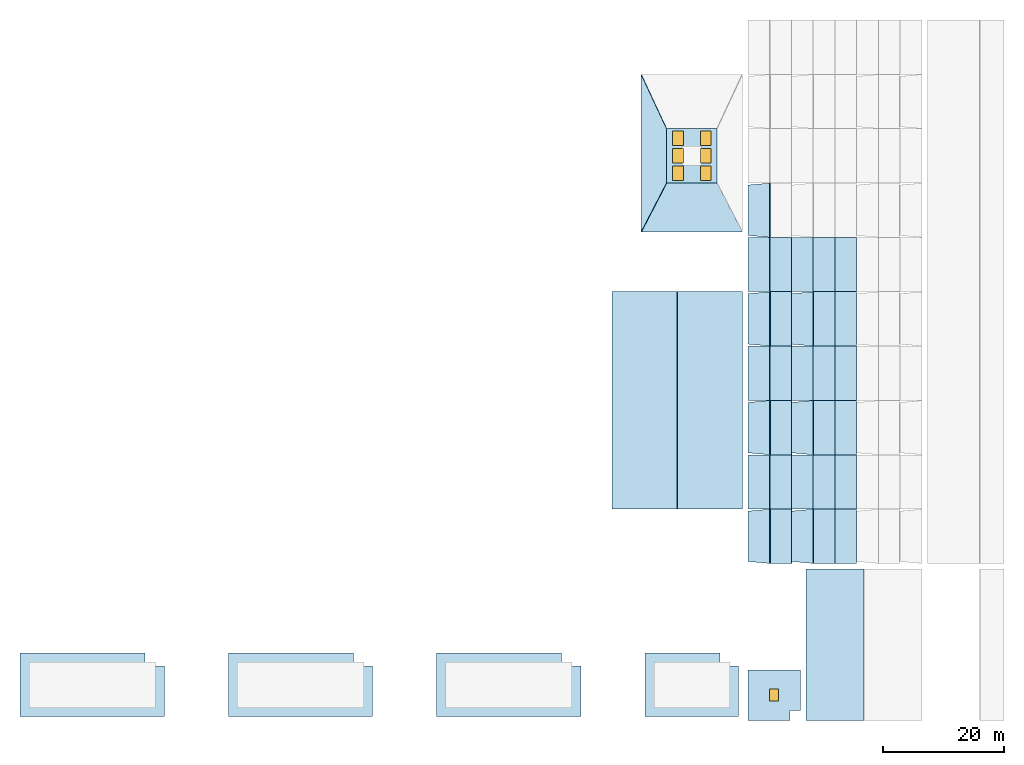
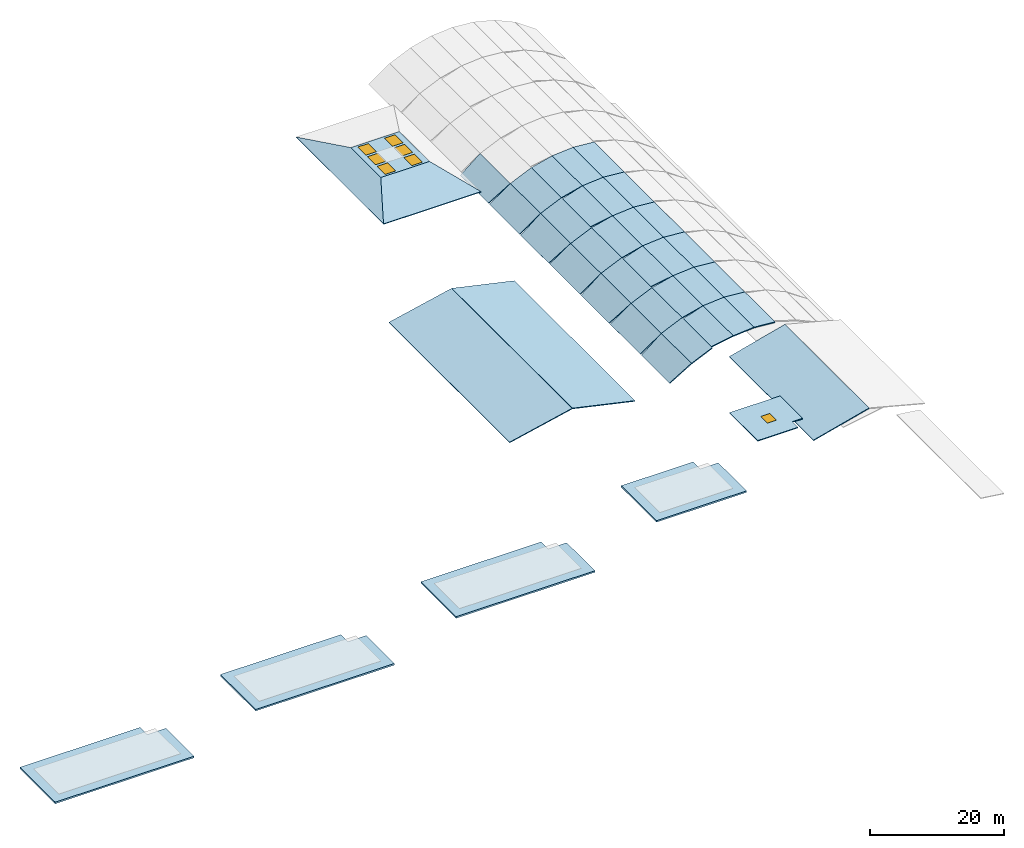
# One storey, part 1 of 3: 42 slabs, 7 windows, 7 openings, 5 elements without a shape of their own.
"""IFC4 building model written with IfcOpenShell, lengths in metres."""

from ifc_helpers import new_model, si_unit, direction, frame, origin, origin_2d, place, context, subcontext, project, spatial, polyline, rectangle, outline, extrude, material, layer, layer_set, type_object, element, fill, aggregate, save


model = new_model("IFC4")

# Units and contexts
model_context = context("Model", 3, precision=1e-05, world=origin(), true_north=direction((0.0, 1.0)))
body_context = subcontext(model_context, "Body", "Model", "MODEL_VIEW")
ifc_project = project(units=[si_unit("LENGTHUNIT", "METRE"), si_unit("AREAUNIT", "SQUARE_METRE"), si_unit("VOLUMEUNIT", "CUBIC_METRE"), si_unit("PLANEANGLEUNIT", "RADIAN"), si_unit("MASSUNIT", "GRAM", prefix="KILO")], contexts=[model_context])

# Site, building, storey
site_placement = place(None, origin())
site = spatial("IfcSite", under=ifc_project, at=site_placement, CompositionType="ELEMENT")
building_placement = place(site_placement, origin())
building = spatial("IfcBuilding", under=site, at=building_placement, Name="Canglan Escarpment Cableway Terminal", CompositionType="ELEMENT")
storey_placement = place(building_placement, frame((0.0, 0.0, 33.60009765625)))
storey = spatial("IfcBuildingStorey", under=building, at=storey_placement, Name="RF", CompositionType="ELEMENT", Elevation=33.60009765625)

# Roof, slabs
ifc_material_1 = material(Name="Standing-seam zinc-titanium roofing", Category="steel")
roof_type_1 = type_object("IfcRoofType", Name="ROOF-GABLE-V3", PredefinedType="GABLE_ROOF", material=ifc_material_1)
roof_1_placement = place(storey_placement, origin())
roof_1 = element("IfcRoof", 1, at=roof_1_placement, inside=storey, type_object=roof_type_1, Name="Cabin Garage pitched Pratt-truss gable roof RF-V3", PredefinedType="GABLE_ROOF")
ifc_material_2 = material(Name="Concrete C35", Category="concrete")
ifc_layer_1 = layer(ifc_material_2, 0.14990234375, Name="Concrete C35")
ifc_layer_set_1 = layer_set([ifc_layer_1], Name="Concrete C35")
slab_type_1 = type_object("IfcSlabType", Name="SLB-ROOF-GABLE-150", PredefinedType="ROOF", material=ifc_layer_set_1)
slab_1_placement = place(storey_placement, frame((115.10009765625, 43.0, -13.64013671875), z_axis=(-0.216951525947, 0.0, 0.976182378139), x_axis=(0.976182378139, 0.0, 0.216951525947)))
slab_1 = element("IfcSlab", 2, at=slab_1_placement, type_object=slab_type_1, Name="Cabin Garage pitched gable roof slab SR-03", PredefinedType="ROOF", context=body_context, shape_type="SweptSolid", body=[
    extrude(outline(polyline([(0.0, 0.0), (11.042798351677446, 0.0), (11.042798351677446, 36.0), (0.0, 36.0), (0.0, 0.0)])), origin(), (0.0, 0.0, -1.0), 0.14990234375),
])
slab_2_placement = place(storey_placement, frame((125.919921875, 43.0, -11.244384765625), z_axis=(0.216946843796, 0.0, 0.976183418711), x_axis=(0.976183418711, 0.0, -0.216946843796)))
slab_2 = element("IfcSlab", 3, at=slab_2_placement, type_object=slab_type_1, Name="Cabin Garage pitched gable roof slab SR-03", PredefinedType="ROOF", context=body_context, shape_type="SweptSolid", body=[
    extrude(outline(polyline([(0.0, 0.0), (11.043036677580382, 0.0), (11.043036677580382, 36.0), (0.0, 36.0), (0.0, 0.0)])), origin(), (0.0, 0.0, -1.0), 0.14990234375),
])
aggregate(roof_1, [slab_1, slab_2])

# Roof, slab
roof_2_placement = place(storey_placement, origin())
roof_2 = element("IfcRoof", 4, at=roof_2_placement, inside=storey, type_object=roof_type_1, Name="Viewing Restaurant pedimented pavilion roof RF-V3", PredefinedType="GABLE_ROOF")
slab_3_placement = place(storey_placement, frame((147.199951171875, 8.0, -3.280029296875), z_axis=(-0.252502199798, 0.0, 0.96759632032), x_axis=(0.96759632032, 0.0, 0.252502199798)))
slab_3 = element("IfcSlab", 5, at=slab_3_placement, type_object=slab_type_1, Name="Viewing Restaurant pedimented roof wing W SR-03", PredefinedType="ROOF", context=body_context, shape_type="SweptSolid", body=[
    extrude(outline(polyline([(0.0, 0.0), (9.900903841624942, 0.0), (9.900903841624942, 25.10009765625), (0.0, 25.10009765625), (0.0, 0.0)])), origin(), (0.0, 0.0, -1.0), 0.14990234375),
])
aggregate(roof_2, [slab_3])

# Roof, slabs, opening, window
ifc_material_3 = material(Name="Planted extensive sedum green roof assembly", Category="earth")
roof_type_2 = type_object("IfcRoofType", Name="ROOF-GARDEN-V5", PredefinedType="FLAT_ROOF", material=ifc_material_3)
roof_3_placement = place(storey_placement, origin())
roof_3 = element("IfcRoof", 6, at=roof_3_placement, inside=storey, type_object=roof_type_2, Name="Visitor Centre stepped sedum roof gardens RF-V5", PredefinedType="FLAT_ROOF")
ifc_material_4 = material(Name="Concrete C40", Category="concrete")
ifc_layer_2 = layer(ifc_material_4, 0.2900390625, Name="Concrete C40")
ifc_layer_set_2 = layer_set([ifc_layer_2], Name="Concrete C40")
slab_type_2 = type_object("IfcSlabType", Name="SLB-ROOF-GRN-290", PredefinedType="ROOF", material=ifc_layer_set_2)
slab_4_placement = place(storey_placement, frame((0.0, 0.0, -24.2900390625)))
slab_4 = element("IfcSlab", 7, at=slab_4_placement, type_object=slab_type_2, Name="Maintenance green roof slab SR-G1", PredefinedType="ROOF", context=body_context, shape_type="SweptSolid", body=[
    extrude(outline(polyline([(17.050048828125, 8.64990234375), (40.949951171875, 8.64990234375), (40.949951171875, 17.050048828125), (37.75, 17.050048828125), (37.75, 19.14990234375), (17.050048828125, 19.14990234375), (17.050048828125, 8.64990234375)])), origin(), (0.0, 0.0, 1.0), 0.2900390625),
])
slab_5_placement = place(storey_placement, frame((0.0, 0.0, -19.489990234375)))
slab_5 = element("IfcSlab", 8, at=slab_5_placement, type_object=slab_type_2, Name="Maintenance green roof slab SR-G1", PredefinedType="ROOF", context=body_context, shape_type="SweptSolid", body=[
    extrude(outline(polyline([(51.550048828125, 8.64990234375), (75.449951171875, 8.64990234375), (75.449951171875, 17.050048828125), (72.25, 17.050048828125), (72.25, 19.14990234375), (51.550048828125, 19.14990234375), (51.550048828125, 8.64990234375)])), origin(), (0.0, 0.0, 1.0), 0.289794921875),
])
slab_6_placement = place(storey_placement, frame((0.0, 0.0, -14.690185546875)))
slab_6 = element("IfcSlab", 9, at=slab_6_placement, type_object=slab_type_2, Name="Maintenance green roof slab SR-G1", PredefinedType="ROOF", context=body_context, shape_type="SweptSolid", body=[
    extrude(outline(polyline([(86.050048828125, 8.64990234375), (109.949951171875, 8.64990234375), (109.949951171875, 17.050048828125), (106.75, 17.050048828125), (106.75, 19.14990234375), (86.050048828125, 19.14990234375), (86.050048828125, 8.64990234375)])), origin(), (0.0, 0.0, 1.0), 0.2900390625),
])
slab_7_placement = place(storey_placement, frame((0.0, 0.0, -9.2900390625)))
slab_7 = element("IfcSlab", 10, at=slab_7_placement, type_object=slab_type_2, Name="Maintenance green roof slab SR-G1", PredefinedType="ROOF", context=body_context, shape_type="SweptSolid", body=[
    extrude(outline(polyline([(120.550048828125, 8.64990234375), (136.050048828125, 8.64990234375), (136.050048828125, 17.050048828125), (132.949951171875, 17.050048828125), (132.949951171875, 19.14990234375), (120.550048828125, 19.14990234375), (120.550048828125, 8.64990234375)])), origin(), (0.0, 0.0, 1.0), 0.2900390625),
])
ifc_layer_3 = layer(ifc_material_2, 0.159912109375, Name="Concrete C35")
ifc_layer_set_3 = layer_set([ifc_layer_3], Name="Concrete C35")
slab_type_3 = type_object("IfcSlabType", Name="SLB-ROOF-HIP-160", PredefinedType="ROOF", material=ifc_layer_set_3)
slab_8_placement = place(storey_placement, frame((0.0, 0.0, -0.16015625)))
slab_8 = element("IfcSlab", 11, at=slab_8_placement, type_object=slab_type_3, Name="Core lift overrun roof slab SR-02", PredefinedType="ROOF", context=body_context, shape_type="SweptSolid", body=[
    extrude(outline(polyline([(137.60009765625, 8.0), (144.56005859375, 8.0), (144.56005859375, 9.679931640625), (146.300048828125, 9.679931640625), (146.300048828125, 16.39990234375), (137.60009765625, 16.39990234375), (137.60009765625, 8.0)])), origin(), (0.0, 0.0, 1.0), 0.16015625),
])
opening_1_placement = place(slab_8_placement, frame((141.89990234375, 12.199951171875, 0.0)))
opening_1 = element("IfcOpeningElement", 12, at=opening_1_placement, cuts=slab_8, Name="Opening SK-02", PredefinedType="OPENING", context=body_context, shape_type="SweptSolid", body=[
    extrude(rectangle(XDim=1.5, YDim=2.0, at=origin_2d()), frame((0.0, 0.0, -0.010009765625)), (0.0, 0.0, 1.0), 0.18017578125),
])
ifc_material_5 = material(Name="Laminated safety Low-E skylight glazing", Category="glass")
window_type_1 = type_object("IfcWindowType", Name="WIN-SKY-1500x2000", PartitioningType="SINGLE_PANEL", PredefinedType="SKYLIGHT", material=ifc_material_5)
window_1_placement = place(opening_1_placement, frame((0.0, 0.0, 0.110107421875)))
window_1 = element("IfcWindow", 13, at=window_1_placement, inside=storey, type_object=window_type_1, Name="Core smoke-vent skylight hatch SK-02", OverallHeight=2.0, OverallWidth=1.5, PartitioningType="SINGLE_PANEL", PredefinedType="SKYLIGHT", context=body_context, shape_type="SweptSolid", body=[
    extrude(rectangle(XDim=1.5, YDim=2.0, at=origin_2d()), origin(), (0.0, 0.0, 1.0), 0.050048828125),
])
fill(opening_1, window_1)
aggregate(roof_3, [slab_4, slab_5, slab_6, slab_7, slab_8])

# Roof, slabs, openings, windows
roof_type_3 = type_object("IfcRoofType", Name="ROOF-HIP-V2", PredefinedType="HIP_ROOF", material=ifc_material_1)
roof_4_placement = place(storey_placement, origin())
roof_4 = element("IfcRoof", 14, at=roof_4_placement, inside=storey, type_object=roof_type_3, Name="Bullwheel Drive House hipped-lantern steel roof RF-V2", PredefinedType="HIP_ROOF")
slab_9_placement = place(storey_placement, frame((119.89990234375, 88.89990234375, -3.43017578125), z_axis=(-0.440353562764, 0.0, 0.897824448186), x_axis=(0.449027299364, 0.865951391438, 0.220233222043)))
slab_9 = element("IfcSlab", 15, at=slab_9_placement, type_object=slab_type_3, Name="Bullwheel Drive House hipped roof facet W SR-02", PredefinedType="ROOF", context=body_context, shape_type="SweptSolid", body=[
    extrude(outline(polyline([(0.0, 0.0), (9.353986535890296, -3.3306690738754696e-16), (17.147549058835647, 4.50115354114273), (22.60141588210708, 13.053394109955638), (0.0, 0.0)])), origin(), (0.0, 0.0, -1.0), 0.159912109375),
])
slab_10_placement = place(storey_placement, frame((119.89990234375, 88.89990234375, -3.43017578125), z_axis=(0.0, -0.246478764446, 0.96914819232), x_axis=(1.0, 0.0, 0.0)))
slab_10 = element("IfcSlab", 16, at=slab_10_placement, type_object=slab_type_3, Name="Bullwheel Drive House hipped roof facet S SR-02", PredefinedType="ROOF", context=body_context, shape_type="SweptSolid", body=[
    extrude(outline(polyline([(0.0, 0.0), (16.800048828125, 0.0), (12.60009765625, 8.357955698044229), (4.2001953125, 8.357955698044229), (0.0, 0.0)])), origin(), (0.0, 0.0, -1.0), 0.159912109375),
])
slab_11_placement = place(storey_placement, frame((0.0, 0.0, -1.550048828125)))
slab_11 = element("IfcSlab", 17, at=slab_11_placement, type_object=slab_type_3, Name="Bullwheel Drive House lantern roof cap SR-02", PredefinedType="ROOF", context=body_context, shape_type="SweptSolid", body=[
    extrude(outline(polyline([(124.10009765625, 97.0), (132.5, 97.0), (132.5, 106.0), (124.10009765625, 106.0), (124.10009765625, 97.0)])), origin(), (0.0, 0.0, 1.0), 0.159912109375),
])
opening_2_placement = place(slab_11_placement, frame((126.0, 98.60009765625, 0.0)))
opening_2 = element("IfcOpeningElement", 18, at=opening_2_placement, cuts=slab_11, Name="Opening SK-01", PredefinedType="OPENING", context=body_context, shape_type="SweptSolid", body=[
    extrude(rectangle(XDim=1.800048828125, YDim=2.39990234375, at=origin_2d()), frame((0.0, 0.0, -0.010009765625)), (0.0, 0.0, 1.0), 0.179931640625),
])
opening_3_placement = place(slab_11_placement, frame((130.60009765625, 98.60009765625, 0.0)))
opening_3 = element("IfcOpeningElement", 19, at=opening_3_placement, cuts=slab_11, Name="Opening SK-01", PredefinedType="OPENING", context=body_context, shape_type="SweptSolid", body=[
    extrude(rectangle(XDim=1.800048828125, YDim=2.39990234375, at=origin_2d()), frame((0.0, 0.0, -0.010009765625)), (0.0, 0.0, 1.0), 0.179931640625),
])
opening_4_placement = place(slab_11_placement, frame((126.0, 101.5, 0.0)))
opening_4 = element("IfcOpeningElement", 20, at=opening_4_placement, cuts=slab_11, Name="Opening SK-01", PredefinedType="OPENING", context=body_context, shape_type="SweptSolid", body=[
    extrude(rectangle(XDim=1.800048828125, YDim=2.39990234375, at=origin_2d()), frame((0.0, 0.0, -0.010009765625)), (0.0, 0.0, 1.0), 0.179931640625),
])
opening_5_placement = place(slab_11_placement, frame((130.60009765625, 101.5, 0.0)))
opening_5 = element("IfcOpeningElement", 21, at=opening_5_placement, cuts=slab_11, Name="Opening SK-01", PredefinedType="OPENING", context=body_context, shape_type="SweptSolid", body=[
    extrude(rectangle(XDim=1.800048828125, YDim=2.39990234375, at=origin_2d()), frame((0.0, 0.0, -0.010009765625)), (0.0, 0.0, 1.0), 0.179931640625),
])
opening_6_placement = place(slab_11_placement, frame((126.0, 104.39990234375, 0.0)))
opening_6 = element("IfcOpeningElement", 22, at=opening_6_placement, cuts=slab_11, Name="Opening SK-01", PredefinedType="OPENING", context=body_context, shape_type="SweptSolid", body=[
    extrude(rectangle(XDim=1.800048828125, YDim=2.39990234375, at=origin_2d()), frame((0.0, 0.0, -0.010009765625)), (0.0, 0.0, 1.0), 0.179931640625),
])
opening_7_placement = place(slab_11_placement, frame((130.60009765625, 104.39990234375, 0.0)))
opening_7 = element("IfcOpeningElement", 23, at=opening_7_placement, cuts=slab_11, Name="Opening SK-01", PredefinedType="OPENING", context=body_context, shape_type="SweptSolid", body=[
    extrude(rectangle(XDim=1.800048828125, YDim=2.39990234375, at=origin_2d()), frame((0.0, 0.0, -0.010009765625)), (0.0, 0.0, 1.0), 0.179931640625),
])
window_type_2 = type_object("IfcWindowType", Name="WIN-SKY-1800x2400", PartitioningType="SINGLE_PANEL", PredefinedType="SKYLIGHT", material=ifc_material_5)
window_2_placement = place(opening_2_placement, frame((0.0, 0.0, 0.10986328125)))
window_2 = element("IfcWindow", 24, at=window_2_placement, inside=storey, type_object=window_type_2, Name="Drive House clerestory roof skylight SK-01", OverallHeight=2.39990234375, OverallWidth=1.800048828125, PartitioningType="SINGLE_PANEL", PredefinedType="SKYLIGHT", context=body_context, shape_type="SweptSolid", body=[
    extrude(rectangle(XDim=1.800048828125, YDim=2.39990234375, at=origin_2d()), origin(), (0.0, 0.0, 1.0), 0.050048828125),
])
fill(opening_2, window_2)
window_3_placement = place(opening_3_placement, frame((0.0, 0.0, 0.10986328125)))
window_3 = element("IfcWindow", 25, at=window_3_placement, inside=storey, type_object=window_type_2, Name="Drive House clerestory roof skylight SK-01", OverallHeight=2.39990234375, OverallWidth=1.800048828125, PartitioningType="SINGLE_PANEL", PredefinedType="SKYLIGHT", context=body_context, shape_type="SweptSolid", body=[
    extrude(rectangle(XDim=1.800048828125, YDim=2.39990234375, at=origin_2d()), origin(), (0.0, 0.0, 1.0), 0.050048828125),
])
fill(opening_3, window_3)
window_4_placement = place(opening_4_placement, frame((0.0, 0.0, 0.10986328125)))
window_4 = element("IfcWindow", 26, at=window_4_placement, inside=storey, type_object=window_type_2, Name="Drive House clerestory roof skylight SK-01", OverallHeight=2.39990234375, OverallWidth=1.800048828125, PartitioningType="SINGLE_PANEL", PredefinedType="SKYLIGHT", context=body_context, shape_type="SweptSolid", body=[
    extrude(rectangle(XDim=1.800048828125, YDim=2.39990234375, at=origin_2d()), origin(), (0.0, 0.0, 1.0), 0.050048828125),
])
fill(opening_4, window_4)
window_5_placement = place(opening_5_placement, frame((0.0, 0.0, 0.10986328125)))
window_5 = element("IfcWindow", 27, at=window_5_placement, inside=storey, type_object=window_type_2, Name="Drive House clerestory roof skylight SK-01", OverallHeight=2.39990234375, OverallWidth=1.800048828125, PartitioningType="SINGLE_PANEL", PredefinedType="SKYLIGHT", context=body_context, shape_type="SweptSolid", body=[
    extrude(rectangle(XDim=1.800048828125, YDim=2.39990234375, at=origin_2d()), origin(), (0.0, 0.0, 1.0), 0.050048828125),
])
fill(opening_5, window_5)
window_6_placement = place(opening_6_placement, frame((0.0, 0.0, 0.10986328125)))
window_6 = element("IfcWindow", 28, at=window_6_placement, inside=storey, type_object=window_type_2, Name="Drive House clerestory roof skylight SK-01", OverallHeight=2.39990234375, OverallWidth=1.800048828125, PartitioningType="SINGLE_PANEL", PredefinedType="SKYLIGHT", context=body_context, shape_type="SweptSolid", body=[
    extrude(rectangle(XDim=1.800048828125, YDim=2.39990234375, at=origin_2d()), origin(), (0.0, 0.0, 1.0), 0.050048828125),
])
fill(opening_6, window_6)
window_7_placement = place(opening_7_placement, frame((0.0, 0.0, 0.10986328125)))
window_7 = element("IfcWindow", 29, at=window_7_placement, inside=storey, type_object=window_type_2, Name="Drive House clerestory roof skylight SK-01", OverallHeight=2.39990234375, OverallWidth=1.800048828125, PartitioningType="SINGLE_PANEL", PredefinedType="SKYLIGHT", context=body_context, shape_type="SweptSolid", body=[
    extrude(rectangle(XDim=1.800048828125, YDim=2.39990234375, at=origin_2d()), origin(), (0.0, 0.0, 1.0), 0.050048828125),
])
fill(opening_7, window_7)
aggregate(roof_4, [slab_9, slab_10, slab_11])

# Roof, slabs
roof_type_4 = type_object("IfcRoofType", Name="ROOF-BARREL-V1", PredefinedType="BARREL_ROOF", material=ifc_material_1)
roof_5_placement = place(storey_placement, origin())
roof_5 = element("IfcRoof", 30, at=roof_5_placement, inside=storey, type_object=roof_type_4, Name="Boarding Hall curved barrel-vault roof RF-V1", PredefinedType="BARREL_ROOF")
ifc_layer_4 = layer(ifc_material_2, 0.179931640625, Name="Concrete C35")
ifc_layer_set_4 = layer_set([ifc_layer_4], Name="Concrete C35")
slab_type_4 = type_object("IfcSlabType", Name="SLB-ROOF-VAULT-180", PredefinedType="ROOF", material=ifc_layer_set_4)
slab_12_placement = place(storey_placement, frame((137.60009765625, 34.320068359375, -5.492431640625), z_axis=(-0.575600552563, 0.0, 0.817731009495), x_axis=(0.815578229771, -0.072514280043, 0.574085211719)))
slab_12 = element("IfcSlab", 31, at=slab_12_placement, type_object=slab_type_4, Name="Barrel-vault roof deck facet SR-01", PredefinedType="ROOF", context=body_context, shape_type="SweptSolid", body=[
    extrude(outline(polyline([(0.0, 0.0), (4.413866609260794, -1.3877787807814457e-17), (3.761238088876617, 8.976306368121643), (-0.6062094670951339, 8.337854889790075), (0.0, 0.0)])), origin(), (0.0, 0.0, -1.0), 0.179931640625),
])
slab_13_placement = place(storey_placement, frame((141.199951171875, 34.0, -2.981201171875), z_axis=(-0.410791393388, 0.0, 0.911729362869), x_axis=(0.911729362869, 0.0, 0.410791393388)))
slab_13 = element("IfcSlab", 32, at=slab_13_placement, type_object=slab_type_4, Name="Barrel-vault roof deck facet SR-01", PredefinedType="ROOF", context=body_context, shape_type="SweptSolid", body=[
    extrude(outline(polyline([(0.0, 0.0), (3.9486472662458203, 0.0), (3.9486472662458203, 9.0), (0.0, 9.0), (0.0, 0.0)])), origin(), (0.0, 0.0, -1.0), 0.179931640625),
])
slab_14_placement = place(storey_placement, frame((144.800048828125, 34.320068359375, -1.370849609375), z_axis=(-0.246353782743, 0.0, 0.969179969731), x_axis=(0.965601571407, -0.085853079696, 0.24544419733)))
slab_14 = element("IfcSlab", 33, at=slab_14_placement, type_object=slab_type_4, Name="Barrel-vault roof deck facet SR-01", PredefinedType="ROOF", context=body_context, shape_type="SweptSolid", body=[
    extrude(outline(polyline([(0.0, 0.0), (3.7280940941091543, -2.42861286636753e-17), (2.9554163768469413, 8.966770273919503), (-0.7177200085311606, 8.328997062704852), (0.0, 0.0)])), origin(), (0.0, 0.0, -1.0), 0.179931640625),
])
slab_15_placement = place(storey_placement, frame((148.39990234375, 34.0, -0.4609375), z_axis=(-0.082049821644, 0.0, 0.996628228964), x_axis=(0.996628228964, 0.0, 0.082049821644)))
slab_15 = element("IfcSlab", 34, at=slab_15_placement, type_object=slab_type_4, Name="Barrel-vault roof deck facet SR-01", PredefinedType="ROOF", context=body_context, shape_type="SweptSolid", body=[
    extrude(outline(polyline([(0.0, 0.0), (3.6122774286574577, 0.0), (3.6122774286574577, 9.0), (0.0, 9.0), (0.0, 0.0)])), origin(), (0.0, 0.0, -1.0), 0.179931640625),
])
slab_16_placement = place(storey_placement, frame((152.0, 34.0, -0.16455078125), z_axis=(0.082049821644, 0.0, 0.996628228964), x_axis=(0.996628228964, 0.0, -0.082049821644)))
slab_16 = element("IfcSlab", 35, at=slab_16_placement, type_object=slab_type_4, Name="Barrel-vault roof deck facet SR-01", PredefinedType="ROOF", context=body_context, shape_type="SweptSolid", body=[
    extrude(outline(polyline([(0.0, 0.0), (3.6122774286574577, 0.0), (3.6122774286574577, 9.0), (0.0, 9.0), (0.0, 0.0)])), origin(), (0.0, 0.0, -1.0), 0.179931640625),
])
slab_17_placement = place(storey_placement, frame((137.60009765625, 43.0, -5.492431640625), z_axis=(-0.575600552563, 0.0, 0.817731009495), x_axis=(0.817731009495, 0.0, 0.575600552563)))
slab_17 = element("IfcSlab", 36, at=slab_17_placement, type_object=slab_type_4, Name="Barrel-vault roof deck facet SR-01", PredefinedType="ROOF", context=body_context, shape_type="SweptSolid", body=[
    extrude(outline(polyline([(0.0, 0.0), (4.4022465503052395, 0.0), (4.4022465503052395, 9.0), (0.0, 9.0), (0.0, 0.0)])), origin(), (0.0, 0.0, -1.0), 0.179931640625),
])
slab_18_placement = place(storey_placement, frame((141.199951171875, 43.0, -2.981201171875), z_axis=(-0.410791393388, 0.0, 0.911729362869), x_axis=(0.911729362869, 0.0, 0.410791393388)))
slab_18 = element("IfcSlab", 37, at=slab_18_placement, type_object=slab_type_4, Name="Barrel-vault roof deck facet SR-01", PredefinedType="ROOF", context=body_context, shape_type="SweptSolid", body=[
    extrude(outline(polyline([(0.0, 0.0), (3.9486472662458203, 0.0), (3.9486472662458203, 9.0), (0.0, 9.0), (0.0, 0.0)])), origin(), (0.0, 0.0, -1.0), 0.179931640625),
])
slab_19_placement = place(storey_placement, frame((144.800048828125, 43.0, -1.370849609375), z_axis=(-0.246353782743, 0.0, 0.969179969731), x_axis=(0.969179969731, 0.0, 0.246353782743)))
slab_19 = element("IfcSlab", 38, at=slab_19_placement, type_object=slab_type_4, Name="Barrel-vault roof deck facet SR-01", PredefinedType="ROOF", context=body_context, shape_type="SweptSolid", body=[
    extrude(outline(polyline([(0.0, 0.0), (3.7143292557147585, 0.0), (3.7143292557147585, 9.000000000000002), (0.0, 9.000000000000002), (0.0, 0.0)])), origin(), (0.0, 0.0, -1.0), 0.179931640625),
])
slab_20_placement = place(storey_placement, frame((148.39990234375, 43.0, -0.4609375), z_axis=(-0.082049821644, 0.0, 0.996628228964), x_axis=(0.996628228964, 0.0, 0.082049821644)))
slab_20 = element("IfcSlab", 39, at=slab_20_placement, type_object=slab_type_4, Name="Barrel-vault roof deck facet SR-01", PredefinedType="ROOF", context=body_context, shape_type="SweptSolid", body=[
    extrude(outline(polyline([(0.0, 0.0), (3.6122774286574577, 0.0), (3.6122774286574577, 9.0), (0.0, 9.0), (0.0, 0.0)])), origin(), (0.0, 0.0, -1.0), 0.179931640625),
])
slab_21_placement = place(storey_placement, frame((152.0, 43.0, -0.16455078125), z_axis=(0.082049821644, 0.0, 0.996628228964), x_axis=(0.996628228964, 0.0, -0.082049821644)))
slab_21 = element("IfcSlab", 40, at=slab_21_placement, type_object=slab_type_4, Name="Barrel-vault roof deck facet SR-01", PredefinedType="ROOF", context=body_context, shape_type="SweptSolid", body=[
    extrude(outline(polyline([(0.0, 0.0), (3.6122774286574577, 0.0), (3.6122774286574577, 9.0), (0.0, 9.0), (0.0, 0.0)])), origin(), (0.0, 0.0, -1.0), 0.179931640625),
])
slab_22_placement = place(storey_placement, frame((137.60009765625, 52.320068359375, -5.492431640625), z_axis=(-0.575600552563, 0.0, 0.817731009495), x_axis=(0.815578229771, -0.072514280043, 0.574085211719)))
slab_22 = element("IfcSlab", 41, at=slab_22_placement, type_object=slab_type_4, Name="Barrel-vault roof deck facet SR-01", PredefinedType="ROOF", context=body_context, shape_type="SweptSolid", body=[
    extrude(outline(polyline([(0.0, 0.0), (4.413866609260794, -1.3877787807814457e-17), (3.761238088876617, 8.976306368121643), (-0.6062094670951339, 8.337854889790075), (0.0, 0.0)])), origin(), (0.0, 0.0, -1.0), 0.179931640625),
])
slab_23_placement = place(storey_placement, frame((141.199951171875, 52.0, -2.981201171875), z_axis=(-0.410791393388, 0.0, 0.911729362869), x_axis=(0.911729362869, 0.0, 0.410791393388)))
slab_23 = element("IfcSlab", 42, at=slab_23_placement, type_object=slab_type_4, Name="Barrel-vault roof deck facet SR-01", PredefinedType="ROOF", context=body_context, shape_type="SweptSolid", body=[
    extrude(outline(polyline([(0.0, 0.0), (3.9486472662458203, 0.0), (3.9486472662458203, 9.0), (0.0, 9.0), (0.0, 0.0)])), origin(), (0.0, 0.0, -1.0), 0.179931640625),
])
slab_24_placement = place(storey_placement, frame((144.800048828125, 52.320068359375, -1.370849609375), z_axis=(-0.246353782743, 0.0, 0.969179969731), x_axis=(0.965601571407, -0.085853079696, 0.24544419733)))
slab_24 = element("IfcSlab", 43, at=slab_24_placement, type_object=slab_type_4, Name="Barrel-vault roof deck facet SR-01", PredefinedType="ROOF", context=body_context, shape_type="SweptSolid", body=[
    extrude(outline(polyline([(0.0, 0.0), (3.7280940941091543, -2.42861286636753e-17), (2.9554163768469413, 8.966770273919503), (-0.7177200085311606, 8.328997062704852), (0.0, 0.0)])), origin(), (0.0, 0.0, -1.0), 0.179931640625),
])
slab_25_placement = place(storey_placement, frame((148.39990234375, 52.0, -0.4609375), z_axis=(-0.082049821644, 0.0, 0.996628228964), x_axis=(0.996628228964, 0.0, 0.082049821644)))
slab_25 = element("IfcSlab", 44, at=slab_25_placement, type_object=slab_type_4, Name="Barrel-vault roof deck facet SR-01", PredefinedType="ROOF", context=body_context, shape_type="SweptSolid", body=[
    extrude(outline(polyline([(0.0, 0.0), (3.6122774286574577, 0.0), (3.6122774286574577, 9.0), (0.0, 9.0), (0.0, 0.0)])), origin(), (0.0, 0.0, -1.0), 0.179931640625),
])
slab_26_placement = place(storey_placement, frame((152.0, 52.0, -0.16455078125), z_axis=(0.082049821644, 0.0, 0.996628228964), x_axis=(0.996628228964, 0.0, -0.082049821644)))
slab_26 = element("IfcSlab", 45, at=slab_26_placement, type_object=slab_type_4, Name="Barrel-vault roof deck facet SR-01", PredefinedType="ROOF", context=body_context, shape_type="SweptSolid", body=[
    extrude(outline(polyline([(0.0, 0.0), (3.6122774286574577, 0.0), (3.6122774286574577, 9.0), (0.0, 9.0), (0.0, 0.0)])), origin(), (0.0, 0.0, -1.0), 0.179931640625),
])
slab_27_placement = place(storey_placement, frame((137.60009765625, 61.0, -5.492431640625), z_axis=(-0.575600552563, 0.0, 0.817731009495), x_axis=(0.817731009495, 0.0, 0.575600552563)))
slab_27 = element("IfcSlab", 46, at=slab_27_placement, type_object=slab_type_4, Name="Barrel-vault roof deck facet SR-01", PredefinedType="ROOF", context=body_context, shape_type="SweptSolid", body=[
    extrude(outline(polyline([(0.0, 0.0), (4.4022465503052395, 0.0), (4.4022465503052395, 9.0), (0.0, 9.0), (0.0, 0.0)])), origin(), (0.0, 0.0, -1.0), 0.179931640625),
])
slab_28_placement = place(storey_placement, frame((141.199951171875, 61.0, -2.981201171875), z_axis=(-0.410791393388, 0.0, 0.911729362869), x_axis=(0.911729362869, 0.0, 0.410791393388)))
slab_28 = element("IfcSlab", 47, at=slab_28_placement, type_object=slab_type_4, Name="Barrel-vault roof deck facet SR-01", PredefinedType="ROOF", context=body_context, shape_type="SweptSolid", body=[
    extrude(outline(polyline([(0.0, 0.0), (3.9486472662458203, 0.0), (3.9486472662458203, 9.0), (0.0, 9.0), (0.0, 0.0)])), origin(), (0.0, 0.0, -1.0), 0.179931640625),
])
slab_29_placement = place(storey_placement, frame((144.800048828125, 61.0, -1.370849609375), z_axis=(-0.246353782743, 0.0, 0.969179969731), x_axis=(0.969179969731, 0.0, 0.246353782743)))
slab_29 = element("IfcSlab", 48, at=slab_29_placement, type_object=slab_type_4, Name="Barrel-vault roof deck facet SR-01", PredefinedType="ROOF", context=body_context, shape_type="SweptSolid", body=[
    extrude(outline(polyline([(0.0, 0.0), (3.7143292557147585, 0.0), (3.7143292557147585, 9.000000000000002), (0.0, 9.000000000000002), (0.0, 0.0)])), origin(), (0.0, 0.0, -1.0), 0.179931640625),
])
slab_30_placement = place(storey_placement, frame((148.39990234375, 61.0, -0.4609375), z_axis=(-0.082049821644, 0.0, 0.996628228964), x_axis=(0.996628228964, 0.0, 0.082049821644)))
slab_30 = element("IfcSlab", 49, at=slab_30_placement, type_object=slab_type_4, Name="Barrel-vault roof deck facet SR-01", PredefinedType="ROOF", context=body_context, shape_type="SweptSolid", body=[
    extrude(outline(polyline([(0.0, 0.0), (3.6122774286574577, 0.0), (3.6122774286574577, 9.0), (0.0, 9.0), (0.0, 0.0)])), origin(), (0.0, 0.0, -1.0), 0.179931640625),
])
slab_31_placement = place(storey_placement, frame((152.0, 61.0, -0.16455078125), z_axis=(0.082049821644, 0.0, 0.996628228964), x_axis=(0.996628228964, 0.0, -0.082049821644)))
slab_31 = element("IfcSlab", 50, at=slab_31_placement, type_object=slab_type_4, Name="Barrel-vault roof deck facet SR-01", PredefinedType="ROOF", context=body_context, shape_type="SweptSolid", body=[
    extrude(outline(polyline([(0.0, 0.0), (3.6122774286574577, 0.0), (3.6122774286574577, 9.0), (0.0, 9.0), (0.0, 0.0)])), origin(), (0.0, 0.0, -1.0), 0.179931640625),
])
slab_32_placement = place(storey_placement, frame((137.60009765625, 70.320068359375, -5.492431640625), z_axis=(-0.575600552563, 0.0, 0.817731009495), x_axis=(0.815578229771, -0.072514280043, 0.574085211719)))
slab_32 = element("IfcSlab", 51, at=slab_32_placement, type_object=slab_type_4, Name="Barrel-vault roof deck facet SR-01", PredefinedType="ROOF", context=body_context, shape_type="SweptSolid", body=[
    extrude(outline(polyline([(0.0, 0.0), (4.413866609260794, -1.3877787807814457e-17), (3.761238088876617, 8.976306368121643), (-0.6062094670951339, 8.337854889790075), (0.0, 0.0)])), origin(), (0.0, 0.0, -1.0), 0.179931640625),
])
slab_33_placement = place(storey_placement, frame((141.199951171875, 70.0, -2.981201171875), z_axis=(-0.410791393388, 0.0, 0.911729362869), x_axis=(0.911729362869, 0.0, 0.410791393388)))
slab_33 = element("IfcSlab", 52, at=slab_33_placement, type_object=slab_type_4, Name="Barrel-vault roof deck facet SR-01", PredefinedType="ROOF", context=body_context, shape_type="SweptSolid", body=[
    extrude(outline(polyline([(0.0, 0.0), (3.9486472662458203, 0.0), (3.9486472662458203, 9.0), (0.0, 9.0), (0.0, 0.0)])), origin(), (0.0, 0.0, -1.0), 0.179931640625),
])
slab_34_placement = place(storey_placement, frame((144.800048828125, 70.320068359375, -1.370849609375), z_axis=(-0.246353782743, 0.0, 0.969179969731), x_axis=(0.965601571407, -0.085853079696, 0.24544419733)))
slab_34 = element("IfcSlab", 53, at=slab_34_placement, type_object=slab_type_4, Name="Barrel-vault roof deck facet SR-01", PredefinedType="ROOF", context=body_context, shape_type="SweptSolid", body=[
    extrude(outline(polyline([(0.0, 0.0), (3.7280940941091543, -2.42861286636753e-17), (2.9554163768469413, 8.966770273919503), (-0.7177200085311606, 8.328997062704852), (0.0, 0.0)])), origin(), (0.0, 0.0, -1.0), 0.179931640625),
])
slab_35_placement = place(storey_placement, frame((148.39990234375, 70.0, -0.4609375), z_axis=(-0.082049821644, 0.0, 0.996628228964), x_axis=(0.996628228964, 0.0, 0.082049821644)))
slab_35 = element("IfcSlab", 54, at=slab_35_placement, type_object=slab_type_4, Name="Barrel-vault roof deck facet SR-01", PredefinedType="ROOF", context=body_context, shape_type="SweptSolid", body=[
    extrude(outline(polyline([(0.0, 0.0), (3.6122774286574577, 0.0), (3.6122774286574577, 9.0), (0.0, 9.0), (0.0, 0.0)])), origin(), (0.0, 0.0, -1.0), 0.179931640625),
])
slab_36_placement = place(storey_placement, frame((152.0, 70.0, -0.16455078125), z_axis=(0.082049821644, 0.0, 0.996628228964), x_axis=(0.996628228964, 0.0, -0.082049821644)))
slab_36 = element("IfcSlab", 55, at=slab_36_placement, type_object=slab_type_4, Name="Barrel-vault roof deck facet SR-01", PredefinedType="ROOF", context=body_context, shape_type="SweptSolid", body=[
    extrude(outline(polyline([(0.0, 0.0), (3.6122774286574577, 0.0), (3.6122774286574577, 9.0), (0.0, 9.0), (0.0, 0.0)])), origin(), (0.0, 0.0, -1.0), 0.179931640625),
])
slab_37_placement = place(storey_placement, frame((137.60009765625, 79.0, -5.492431640625), z_axis=(-0.575600552563, 0.0, 0.817731009495), x_axis=(0.817731009495, 0.0, 0.575600552563)))
slab_37 = element("IfcSlab", 56, at=slab_37_placement, type_object=slab_type_4, Name="Barrel-vault roof deck facet SR-01", PredefinedType="ROOF", context=body_context, shape_type="SweptSolid", body=[
    extrude(outline(polyline([(0.0, 0.0), (4.4022465503052395, 0.0), (4.4022465503052395, 9.0), (0.0, 9.0), (0.0, 0.0)])), origin(), (0.0, 0.0, -1.0), 0.179931640625),
])
slab_38_placement = place(storey_placement, frame((141.199951171875, 79.0, -2.981201171875), z_axis=(-0.410791393388, 0.0, 0.911729362869), x_axis=(0.911729362869, 0.0, 0.410791393388)))
slab_38 = element("IfcSlab", 57, at=slab_38_placement, type_object=slab_type_4, Name="Barrel-vault roof deck facet SR-01", PredefinedType="ROOF", context=body_context, shape_type="SweptSolid", body=[
    extrude(outline(polyline([(0.0, 0.0), (3.9486472662458203, 0.0), (3.9486472662458203, 9.0), (0.0, 9.0), (0.0, 0.0)])), origin(), (0.0, 0.0, -1.0), 0.179931640625),
])
slab_39_placement = place(storey_placement, frame((144.800048828125, 79.0, -1.370849609375), z_axis=(-0.246353782743, 0.0, 0.969179969731), x_axis=(0.969179969731, 0.0, 0.246353782743)))
slab_39 = element("IfcSlab", 58, at=slab_39_placement, type_object=slab_type_4, Name="Barrel-vault roof deck facet SR-01", PredefinedType="ROOF", context=body_context, shape_type="SweptSolid", body=[
    extrude(outline(polyline([(0.0, 0.0), (3.7143292557147585, 0.0), (3.7143292557147585, 9.000000000000002), (0.0, 9.000000000000002), (0.0, 0.0)])), origin(), (0.0, 0.0, -1.0), 0.179931640625),
])
slab_40_placement = place(storey_placement, frame((148.39990234375, 79.0, -0.4609375), z_axis=(-0.082049821644, 0.0, 0.996628228964), x_axis=(0.996628228964, 0.0, 0.082049821644)))
slab_40 = element("IfcSlab", 59, at=slab_40_placement, type_object=slab_type_4, Name="Barrel-vault roof deck facet SR-01", PredefinedType="ROOF", context=body_context, shape_type="SweptSolid", body=[
    extrude(outline(polyline([(0.0, 0.0), (3.6122774286574577, 0.0), (3.6122774286574577, 9.0), (0.0, 9.0), (0.0, 0.0)])), origin(), (0.0, 0.0, -1.0), 0.179931640625),
])
slab_41_placement = place(storey_placement, frame((152.0, 79.0, -0.16455078125), z_axis=(0.082049821644, 0.0, 0.996628228964), x_axis=(0.996628228964, 0.0, -0.082049821644)))
slab_41 = element("IfcSlab", 60, at=slab_41_placement, type_object=slab_type_4, Name="Barrel-vault roof deck facet SR-01", PredefinedType="ROOF", context=body_context, shape_type="SweptSolid", body=[
    extrude(outline(polyline([(0.0, 0.0), (3.6122774286574577, 0.0), (3.6122774286574577, 9.0), (0.0, 9.0), (0.0, 0.0)])), origin(), (0.0, 0.0, -1.0), 0.179931640625),
])
slab_42_placement = place(storey_placement, frame((137.60009765625, 88.320068359375, -5.492431640625), z_axis=(-0.575600552563, 0.0, 0.817731009495), x_axis=(0.815578229771, -0.072514280043, 0.574085211719)))
slab_42 = element("IfcSlab", 61, at=slab_42_placement, type_object=slab_type_4, Name="Barrel-vault roof deck facet SR-01", PredefinedType="ROOF", context=body_context, shape_type="SweptSolid", body=[
    extrude(outline(polyline([(0.0, 0.0), (4.413866609260794, -1.3877787807814457e-17), (3.761238088876617, 8.976306368121643), (-0.6062094670951339, 8.337854889790075), (0.0, 0.0)])), origin(), (0.0, 0.0, -1.0), 0.179931640625),
])
aggregate(roof_5, [slab_12, slab_13, slab_14, slab_15, slab_16, slab_17, slab_18, slab_19, slab_20, slab_21, slab_22, slab_23, slab_24, slab_25, slab_26, slab_27, slab_28, slab_29, slab_30, slab_31, slab_32, slab_33, slab_34, slab_35, slab_36, slab_37, slab_38, slab_39, slab_40, slab_41, slab_42])

save(model, "model.ifc")
